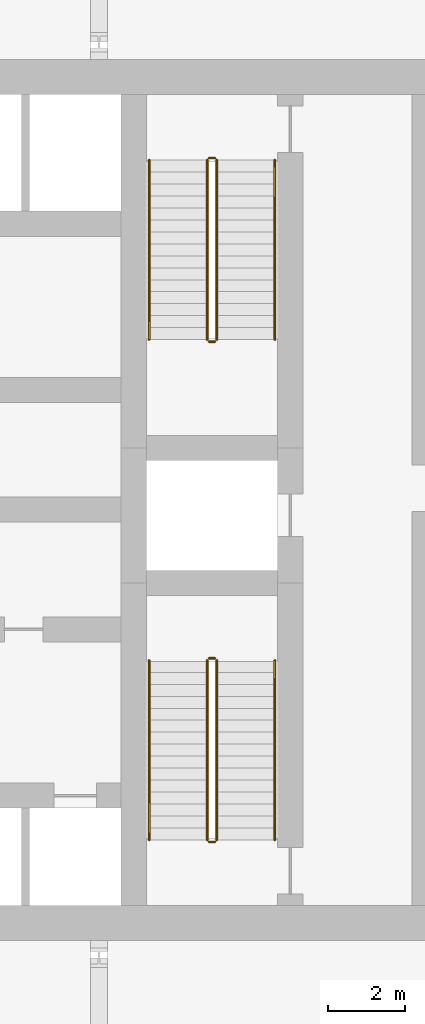
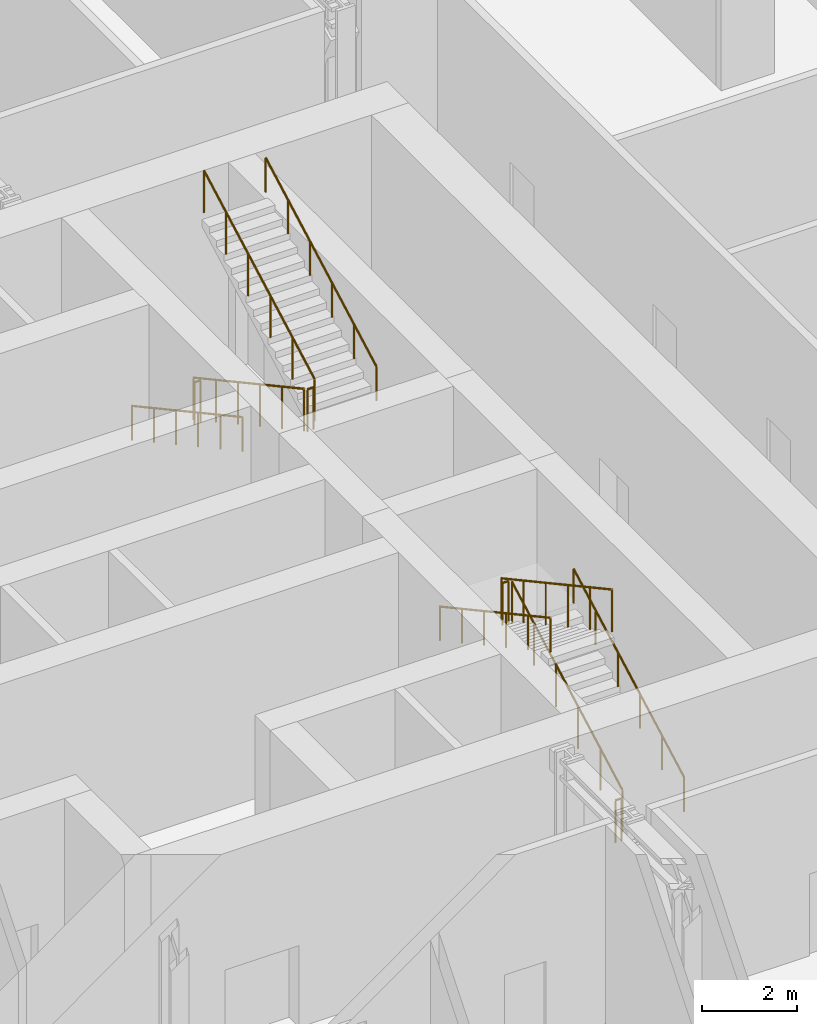
# One storey, part 22 of 23: 12 railings.
"""IFC4 building model written with IfcOpenShell, lengths in metres."""

from ifc_helpers import new_model, si_unit, direction, frame, origin, origin_2d, place, context, subcontext, project, spatial, circle, extrude, material, type_object, element, save


model = new_model("IFC4")

# Units and contexts
model_context = context("Model", 3, precision=1e-05, world=origin(), true_north=direction((0.0, 1.0)))
body_context = subcontext(model_context, "Body", "Model", "MODEL_VIEW")
ifc_project = project(units=[si_unit("LENGTHUNIT", "METRE"), si_unit("AREAUNIT", "SQUARE_METRE"), si_unit("VOLUMEUNIT", "CUBIC_METRE"), si_unit("PLANEANGLEUNIT", "RADIAN"), si_unit("MASSUNIT", "GRAM", prefix="KILO")], contexts=[model_context])

# Site, building, storey
site_placement = place(None, origin())
site = spatial("IfcSite", under=ifc_project, at=site_placement, CompositionType="ELEMENT")
building_placement = place(site_placement, origin())
building = spatial("IfcBuilding", under=site, at=building_placement, Name="Madar Terraces", CompositionType="ELEMENT")
storey_placement = place(building_placement, frame((0.0, 0.0, 83.800048828125)))
storey = spatial("IfcBuildingStorey", under=building, at=storey_placement, Name="L21", CompositionType="ELEMENT", Elevation=83.800048828125)

# Railings
ifc_material_1 = material(Name="Stainless steel railing", Category="steel")
railing_type_1 = type_object("IfcRailingType", Name="Stair guard 1100", PredefinedType="GUARDRAIL", material=ifc_material_1)
railing_1_placement = place(storey_placement, frame((41.199951171875, 35.199951171875, 0.168701171875)))
element("IfcRailing", 1, at=railing_1_placement, inside=storey, type_object=railing_type_1, Name="L21 ST2 stair guard 1", PredefinedType="GUARDRAIL", context=body_context, shape_type="SweptSolid", body=[
    extrude(circle(Radius=0.02392578125, at=origin_2d()), frame((0.0, 0.0, 1.076171875), z_axis=(0.0, -0.878297076953, 0.478115304728), x_axis=(1.0, 0.0, 0.0)), (0.0, 0.0, 1.0), 5.294189453125),
    extrude(circle(Radius=0.02099609375, at=origin_2d()), origin(), (0.0, 0.0, 1.0), 1.052001953125),
    extrude(circle(Radius=0.02099609375, at=origin_2d()), frame((0.0, -0.929931640625, 0.50634765625)), (0.0, 0.0, 1.0), 1.052001953125),
    extrude(circle(Radius=0.02099609375, at=origin_2d()), frame((0.0, -1.85986328125, 1.012451171875)), (0.0, 0.0, 1.0), 1.052001953125),
    extrude(circle(Radius=0.02099609375, at=origin_2d()), frame((0.0, -2.7900390625, 1.518798828125)), (0.0, 0.0, 1.0), 1.052001953125),
    extrude(circle(Radius=0.02099609375, at=origin_2d()), frame((0.0, -3.719970703125, 2.02490234375)), (0.0, 0.0, 1.0), 1.052001953125),
    extrude(circle(Radius=0.02099609375, at=origin_2d()), frame((0.0, -4.64990234375, 2.53125)), (0.0, 0.0, 1.0), 1.052001953125),
])
railing_2_placement = place(storey_placement, frame((41.25, 30.5, 2.699951171875)))
element("IfcRailing", 2, at=railing_2_placement, inside=storey, type_object=railing_type_1, Name="L21 ST2 stair guard 2", PredefinedType="GUARDRAIL", context=body_context, shape_type="SweptSolid", body=[
    extrude(circle(Radius=0.02392578125, at=origin_2d()), frame((0.0, 0.0, 1.076171875), z_axis=(1.0, 0.0, 0.0), x_axis=(0.0, 1.0, 0.0)), (0.0, 0.0, 1.0), 0.14990234375),
    extrude(circle(Radius=0.02099609375, at=origin_2d()), origin(), (0.0, 0.0, 1.0), 1.052001953125),
    extrude(circle(Radius=0.02099609375, at=origin_2d()), frame((0.14990234375, 0.0, 0.0)), (0.0, 0.0, 1.0), 1.052001953125),
])
railing_3_placement = place(storey_placement, frame((41.449951171875, 30.550048828125, 2.86865234375)))
element("IfcRailing", 3, at=railing_3_placement, inside=storey, type_object=railing_type_1, Name="L21 ST2 stair guard 3", PredefinedType="GUARDRAIL", context=body_context, shape_type="SweptSolid", body=[
    extrude(circle(Radius=0.02392578125, at=origin_2d()), frame((0.0, 0.0, 1.076171875), z_axis=(0.0, 0.878297076953, 0.478115304728), x_axis=(-1.0, 0.0, 0.0)), (0.0, 0.0, 1.0), 5.294189453125),
    extrude(circle(Radius=0.02099609375, at=origin_2d()), origin(), (0.0, 0.0, 1.0), 1.052001953125),
    extrude(circle(Radius=0.02099609375, at=origin_2d()), frame((0.0, 0.929931640625, 0.50634765625)), (0.0, 0.0, 1.0), 1.052001953125),
    extrude(circle(Radius=0.02099609375, at=origin_2d()), frame((0.0, 1.85986328125, 1.012451171875)), (0.0, 0.0, 1.0), 1.052001953125),
    extrude(circle(Radius=0.02099609375, at=origin_2d()), frame((0.0, 2.7900390625, 1.518798828125)), (0.0, 0.0, 1.0), 1.052001953125),
    extrude(circle(Radius=0.02099609375, at=origin_2d()), frame((0.0, 3.719970703125, 2.02490234375)), (0.0, 0.0, 1.0), 1.052001953125),
    extrude(circle(Radius=0.02099609375, at=origin_2d()), frame((0.0, 4.64990234375, 2.53125)), (0.0, 0.0, 1.0), 1.052001953125),
])
railing_4_placement = place(storey_placement, frame((41.25, 35.25, 0.0)))
element("IfcRailing", 4, at=railing_4_placement, inside=storey, type_object=railing_type_1, Name="L21 ST2 stair guard 4", PredefinedType="GUARDRAIL", context=body_context, shape_type="SweptSolid", body=[
    extrude(circle(Radius=0.02392578125, at=origin_2d()), frame((0.0, 0.0, 1.076171875), z_axis=(1.0, 0.0, 0.0), x_axis=(0.0, 1.0, 0.0)), (0.0, 0.0, 1.0), 0.14990234375),
    extrude(circle(Radius=0.02099609375, at=origin_2d()), origin(), (0.0, 0.0, 1.0), 1.052001953125),
    extrude(circle(Radius=0.02099609375, at=origin_2d()), frame((0.14990234375, 0.0, 0.0)), (0.0, 0.0, 1.0), 1.052001953125),
])
railing_5_placement = place(storey_placement, frame((41.449951171875, 17.60009765625, 0.168701171875)))
element("IfcRailing", 5, at=railing_5_placement, inside=storey, type_object=railing_type_1, Name="L21 ST3 stair guard 1", PredefinedType="GUARDRAIL", context=body_context, shape_type="SweptSolid", body=[
    extrude(circle(Radius=0.02392578125, at=origin_2d()), frame((0.0, 0.0, 1.076171875), z_axis=(0.0, 0.878297076953, 0.478115304728), x_axis=(-1.0, 0.0, 0.0)), (0.0, 0.0, 1.0), 5.294189453125),
    extrude(circle(Radius=0.02099609375, at=origin_2d()), origin(), (0.0, 0.0, 1.0), 1.052001953125),
    extrude(circle(Radius=0.02099609375, at=origin_2d()), frame((0.0, 0.929931640625, 0.50634765625)), (0.0, 0.0, 1.0), 1.052001953125),
    extrude(circle(Radius=0.02099609375, at=origin_2d()), frame((0.0, 1.85986328125, 1.012451171875)), (0.0, 0.0, 1.0), 1.052001953125),
    extrude(circle(Radius=0.02099609375, at=origin_2d()), frame((0.0, 2.7900390625, 1.518798828125)), (0.0, 0.0, 1.0), 1.052001953125),
    extrude(circle(Radius=0.02099609375, at=origin_2d()), frame((0.0, 3.719970703125, 2.02490234375)), (0.0, 0.0, 1.0), 1.052001953125),
    extrude(circle(Radius=0.02099609375, at=origin_2d()), frame((0.0, 4.64990234375, 2.53125)), (0.0, 0.0, 1.0), 1.052001953125),
])
railing_6_placement = place(storey_placement, frame((41.39990234375, 22.300048828125, 2.699951171875)))
element("IfcRailing", 6, at=railing_6_placement, inside=storey, type_object=railing_type_1, Name="L21 ST3 stair guard 2", PredefinedType="GUARDRAIL", context=body_context, shape_type="SweptSolid", body=[
    extrude(circle(Radius=0.02392578125, at=origin_2d()), frame((0.0, 0.0, 1.076171875), z_axis=(-1.0, 0.0, 0.0), x_axis=(0.0, -1.0, 0.0)), (0.0, 0.0, 1.0), 0.14990234375),
    extrude(circle(Radius=0.02099609375, at=origin_2d()), origin(), (0.0, 0.0, 1.0), 1.052001953125),
    extrude(circle(Radius=0.02099609375, at=origin_2d()), frame((-0.14990234375, 0.0, 0.0)), (0.0, 0.0, 1.0), 1.052001953125),
])
railing_7_placement = place(storey_placement, frame((41.199951171875, 22.25, 2.86865234375)))
element("IfcRailing", 7, at=railing_7_placement, inside=storey, type_object=railing_type_1, Name="L21 ST3 stair guard 3", PredefinedType="GUARDRAIL", context=body_context, shape_type="SweptSolid", body=[
    extrude(circle(Radius=0.02392578125, at=origin_2d()), frame((0.0, 0.0, 1.076171875), z_axis=(0.0, -0.878297076953, 0.478115304728), x_axis=(1.0, 0.0, 0.0)), (0.0, 0.0, 1.0), 5.294189453125),
    extrude(circle(Radius=0.02099609375, at=origin_2d()), origin(), (0.0, 0.0, 1.0), 1.052001953125),
    extrude(circle(Radius=0.02099609375, at=origin_2d()), frame((0.0, -0.929931640625, 0.50634765625)), (0.0, 0.0, 1.0), 1.052001953125),
    extrude(circle(Radius=0.02099609375, at=origin_2d()), frame((0.0, -1.85986328125, 1.012451171875)), (0.0, 0.0, 1.0), 1.052001953125),
    extrude(circle(Radius=0.02099609375, at=origin_2d()), frame((0.0, -2.7900390625, 1.518798828125)), (0.0, 0.0, 1.0), 1.052001953125),
    extrude(circle(Radius=0.02099609375, at=origin_2d()), frame((0.0, -3.719970703125, 2.02490234375)), (0.0, 0.0, 1.0), 1.052001953125),
    extrude(circle(Radius=0.02099609375, at=origin_2d()), frame((0.0, -4.64990234375, 2.53125)), (0.0, 0.0, 1.0), 1.052001953125),
])
railing_8_placement = place(storey_placement, frame((41.39990234375, 17.550048828125, 0.0)))
element("IfcRailing", 8, at=railing_8_placement, inside=storey, type_object=railing_type_1, Name="L21 ST3 stair guard 4", PredefinedType="GUARDRAIL", context=body_context, shape_type="SweptSolid", body=[
    extrude(circle(Radius=0.02392578125, at=origin_2d()), frame((0.0, 0.0, 1.076171875), z_axis=(-1.0, 0.0, 0.0), x_axis=(0.0, -1.0, 0.0)), (0.0, 0.0, 1.0), 0.14990234375),
    extrude(circle(Radius=0.02099609375, at=origin_2d()), origin(), (0.0, 0.0, 1.0), 1.052001953125),
    extrude(circle(Radius=0.02099609375, at=origin_2d()), frame((-0.14990234375, 0.0, 0.0)), (0.0, 0.0, 1.0), 1.052001953125),
])
ifc_material_2 = material(Name="Stainless steel railing", Category="steel")
railing_type_2 = type_object("IfcRailingType", Name="Stair handrail 900", PredefinedType="HANDRAIL", material=ifc_material_2)
railing_9_placement = place(storey_placement, frame((39.699951171875, 35.199951171875, 0.168701171875)))
element("IfcRailing", 9, at=railing_9_placement, inside=storey, type_object=railing_type_2, Name="L21 ST2 stair handrail 1", PredefinedType="HANDRAIL", context=body_context, shape_type="SweptSolid", body=[
    extrude(circle(Radius=0.02392578125, at=origin_2d()), frame((0.0, 0.0, 0.8759765625), z_axis=(0.0, -0.878297076953, 0.478115304728), x_axis=(1.0, 0.0, 0.0)), (0.0, 0.0, 1.0), 5.294189453125),
    extrude(circle(Radius=0.02099609375, at=origin_2d()), origin(), (0.0, 0.0, 1.0), 0.851806640625),
    extrude(circle(Radius=0.02099609375, at=origin_2d()), frame((0.0, -0.929931640625, 0.50634765625)), (0.0, 0.0, 1.0), 0.851806640625),
    extrude(circle(Radius=0.02099609375, at=origin_2d()), frame((0.0, -1.85986328125, 1.012451171875)), (0.0, 0.0, 1.0), 0.851806640625),
    extrude(circle(Radius=0.02099609375, at=origin_2d()), frame((0.0, -2.7900390625, 1.518798828125)), (0.0, 0.0, 1.0), 0.851806640625),
    extrude(circle(Radius=0.02099609375, at=origin_2d()), frame((0.0, -3.719970703125, 2.02490234375)), (0.0, 0.0, 1.0), 0.851806640625),
    extrude(circle(Radius=0.02099609375, at=origin_2d()), frame((0.0, -4.64990234375, 2.53125)), (0.0, 0.0, 1.0), 0.851806640625),
])
for number, where, name in (
    (10, (42.949951171875, 30.550048828125, 2.86865234375), "L21 ST2 stair handrail 2"),
    (11, (42.949951171875, 17.60009765625, 0.168701171875), "L21 ST3 stair handrail 1"),
):
    element("IfcRailing", number, at=place(storey_placement, frame(where)), inside=storey, type_object=railing_type_2, Name=name, PredefinedType="HANDRAIL", context=body_context, shape_type="SweptSolid", body=[
        extrude(circle(Radius=0.02392578125, at=origin_2d()), frame((0.0, 0.0, 0.8759765625), z_axis=(0.0, 0.878297076953, 0.478115304728), x_axis=(-1.0, 0.0, 0.0)), (0.0, 0.0, 1.0), 5.294189453125),
        extrude(circle(Radius=0.02099609375, at=origin_2d()), origin(), (0.0, 0.0, 1.0), 0.851806640625),
        extrude(circle(Radius=0.02099609375, at=origin_2d()), frame((0.0, 0.929931640625, 0.50634765625)), (0.0, 0.0, 1.0), 0.851806640625),
        extrude(circle(Radius=0.02099609375, at=origin_2d()), frame((0.0, 1.85986328125, 1.012451171875)), (0.0, 0.0, 1.0), 0.851806640625),
        extrude(circle(Radius=0.02099609375, at=origin_2d()), frame((0.0, 2.7900390625, 1.518798828125)), (0.0, 0.0, 1.0), 0.851806640625),
        extrude(circle(Radius=0.02099609375, at=origin_2d()), frame((0.0, 3.719970703125, 2.02490234375)), (0.0, 0.0, 1.0), 0.851806640625),
        extrude(circle(Radius=0.02099609375, at=origin_2d()), frame((0.0, 4.64990234375, 2.53125)), (0.0, 0.0, 1.0), 0.851806640625),
    ])
railing_10_placement = place(storey_placement, frame((39.699951171875, 22.25, 2.86865234375)))
element("IfcRailing", 12, at=railing_10_placement, inside=storey, type_object=railing_type_2, Name="L21 ST3 stair handrail 2", PredefinedType="HANDRAIL", context=body_context, shape_type="SweptSolid", body=[
    extrude(circle(Radius=0.02392578125, at=origin_2d()), frame((0.0, 0.0, 0.8759765625), z_axis=(0.0, -0.878297076953, 0.478115304728), x_axis=(1.0, 0.0, 0.0)), (0.0, 0.0, 1.0), 5.294189453125),
    extrude(circle(Radius=0.02099609375, at=origin_2d()), origin(), (0.0, 0.0, 1.0), 0.851806640625),
    extrude(circle(Radius=0.02099609375, at=origin_2d()), frame((0.0, -0.929931640625, 0.50634765625)), (0.0, 0.0, 1.0), 0.851806640625),
    extrude(circle(Radius=0.02099609375, at=origin_2d()), frame((0.0, -1.85986328125, 1.012451171875)), (0.0, 0.0, 1.0), 0.851806640625),
    extrude(circle(Radius=0.02099609375, at=origin_2d()), frame((0.0, -2.7900390625, 1.518798828125)), (0.0, 0.0, 1.0), 0.851806640625),
    extrude(circle(Radius=0.02099609375, at=origin_2d()), frame((0.0, -3.719970703125, 2.02490234375)), (0.0, 0.0, 1.0), 0.851806640625),
    extrude(circle(Radius=0.02099609375, at=origin_2d()), frame((0.0, -4.64990234375, 2.53125)), (0.0, 0.0, 1.0), 0.851806640625),
])

save(model, "model.ifc")
